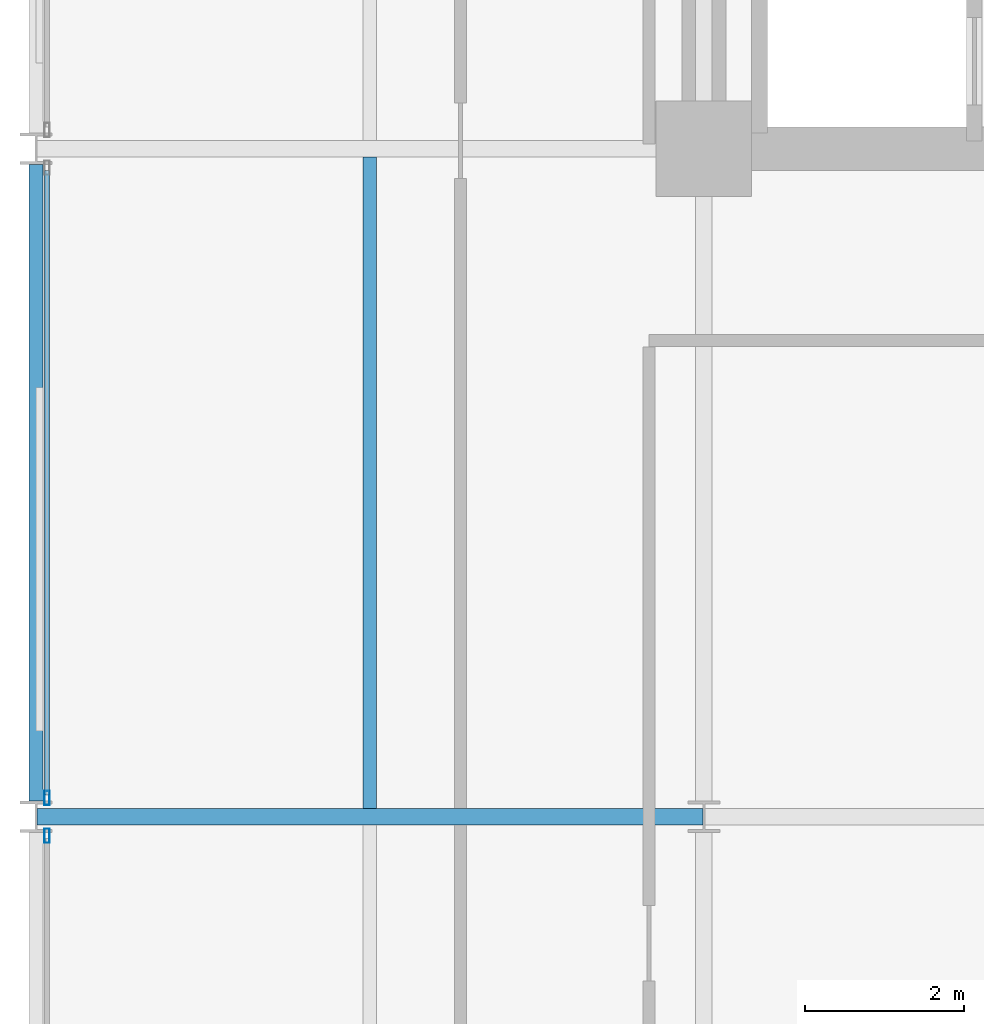
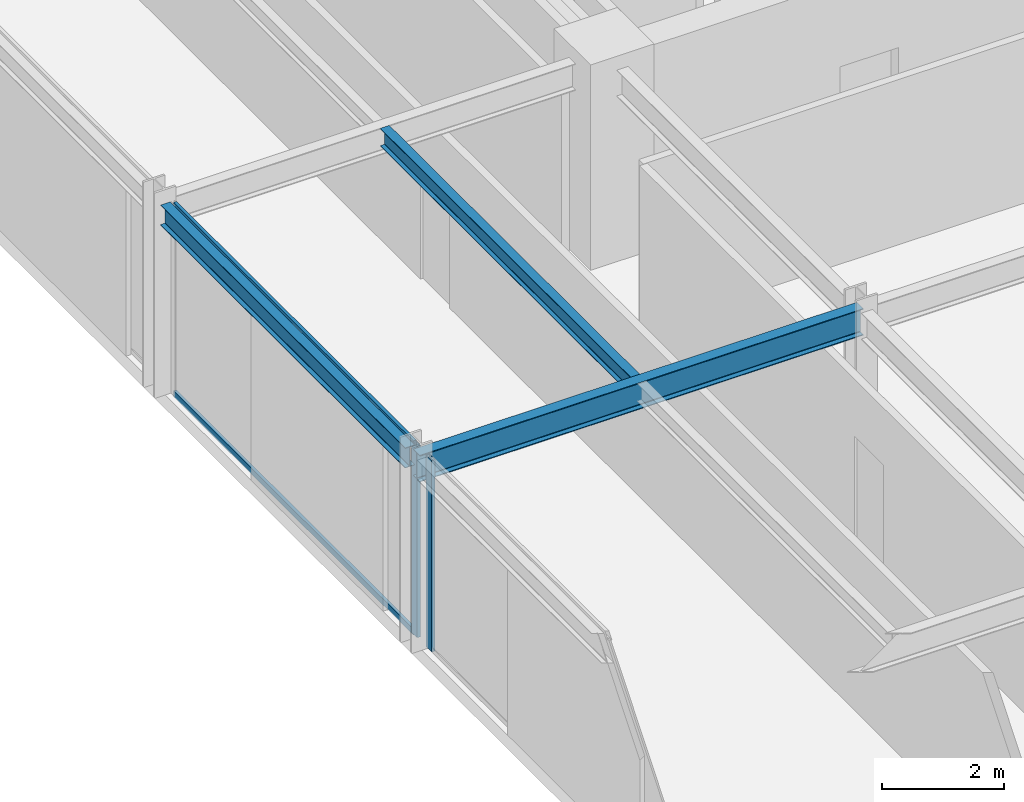
# One storey, part 11 of 38: 4 members, 3 beams, 2 elements without a shape of their own.
"""IFC4 building model written with IfcOpenShell, lengths in metres."""

from ifc_helpers import new_model, si_unit, direction, frame, origin, origin_2d, place, context, subcontext, project, spatial, hollow_rectangle, i_section, extrude, material, layer, layer_set, material_profile, profile_set, type_object, element, aggregate, save


model = new_model("IFC4")

# Units and contexts
model_context = context("Model", 3, precision=1e-05, world=origin(), true_north=direction((0.0, 1.0)))
body_context = subcontext(model_context, "Body", "Model", "MODEL_VIEW")
ifc_project = project(units=[si_unit("LENGTHUNIT", "METRE"), si_unit("AREAUNIT", "SQUARE_METRE"), si_unit("VOLUMEUNIT", "CUBIC_METRE"), si_unit("PLANEANGLEUNIT", "RADIAN"), si_unit("MASSUNIT", "GRAM", prefix="KILO")], contexts=[model_context])

# Site, building, storey
site_placement = place(None, origin())
site = spatial("IfcSite", under=ifc_project, at=site_placement, CompositionType="ELEMENT")
building_placement = place(site_placement, origin())
building = spatial("IfcBuilding", under=site, at=building_placement, Name="Nerrivon Quay Data Exchange", CompositionType="ELEMENT")
storey_placement = place(building_placement, frame((0.0, 0.0, 88.5)))
storey = spatial("IfcBuildingStorey", under=building, at=storey_placement, Name="L20", CompositionType="ELEMENT", Elevation=88.5)

# Beams
ifc_material_1 = material(Name="Steel Grade 350", Category="steel")
ifc_material_profile_1 = material_profile(ifc_material_1, i_section(OverallWidth=0.208984375, OverallDepth=0.532958984375, WebThickness=0.01025390625, FlangeThickness=0.015625, FilletRadius=0.013916015625, at=origin_2d()), Name="530UB92.4")
ifc_profile_set_1 = profile_set([ifc_material_profile_1], Name="Steel Grade 350")
beam_type_1 = type_object("IfcBeamType", Name="BM-G3-530UB92", PredefinedType="BEAM", material=ifc_profile_set_1)
beam_1_placement = place(storey_placement, frame((0.012451171875, 16.800048828125, 3.55859375), z_axis=(1.0, 0.0, 0.0), x_axis=(0.0, 1.0, 0.0)))
element("IfcBeam", 1, at=beam_1_placement, inside=storey, type_object=beam_type_1, Name="L20 EW Girder Y=16.8 (0.0..8.4)", PredefinedType="BEAM", context=body_context, shape_type="SweptSolid", body=[
    extrude(i_section(OverallWidth=0.208984375, OverallDepth=0.532958984375, WebThickness=0.01025390625, FlangeThickness=0.015625, FilletRadius=0.013916015625, at=origin_2d()), origin(), (0.0, 0.0, 1.0), 8.375),
])
ifc_material_profile_2 = material_profile(ifc_material_1, i_section(OverallWidth=0.1708984375, OverallDepth=0.35595703125, WebThickness=0.00732421875, FlangeThickness=0.011474609375, FilletRadius=0.011474609375, at=origin_2d()), Name="360UB50.7")
ifc_profile_set_2 = profile_set([ifc_material_profile_2], Name="Steel Grade 350")
beam_type_2 = type_object("IfcBeamType", Name="BM-J4-360UB51", PredefinedType="JOIST", material=ifc_profile_set_2)
beam_2_placement = place(storey_placement, frame((4.199951171875, 16.904541015625, 3.64697265625), z_axis=(0.0, 1.0, 0.0), x_axis=(-1.0, 0.0, 0.0)))
element("IfcBeam", 2, at=beam_2_placement, inside=storey, type_object=beam_type_2, Name="L20 Secondary Joist X=4.2 (16.8..25.2)", PredefinedType="JOIST", context=body_context, shape_type="SweptSolid", body=[
    extrude(i_section(OverallWidth=0.1708984375, OverallDepth=0.35595703125, WebThickness=0.00732421875, FlangeThickness=0.011474609375, FilletRadius=0.011474609375, at=origin_2d()), origin(), (0.0, 0.0, 1.0), 8.19091796875),
])
ifc_material_profile_3 = material_profile(ifc_material_1, i_section(OverallWidth=0.177978515625, OverallDepth=0.403076171875, WebThickness=0.007568359375, FlangeThickness=0.010986328125, FilletRadius=0.011474609375, at=origin_2d()), Name="410UB53.7")
ifc_profile_set_3 = profile_set([ifc_material_profile_3], Name="Steel Grade 350")
beam_type_3 = type_object("IfcBeamType", Name="BM-SP2-410UB54", PredefinedType="SPANDREL", material=ifc_profile_set_3)
beam_3_placement = place(storey_placement, frame((0.0, 17.0, 3.62353515625), z_axis=(0.0, 1.0, 0.0), x_axis=(-1.0, 0.0, 0.0)))
element("IfcBeam", 3, at=beam_3_placement, inside=storey, type_object=beam_type_3, Name="L20 NS Girder X=0.0 (16.8..25.2)", PredefinedType="SPANDREL", context=body_context, shape_type="SweptSolid", body=[
    extrude(i_section(OverallWidth=0.177978515625, OverallDepth=0.403076171875, WebThickness=0.007568359375, FlangeThickness=0.010986328125, FilletRadius=0.011474609375, at=origin_2d()), origin(), (0.0, 0.0, 1.0), 8.0),
])

# Curtain wall, member
ifc_material_2 = material(Name="Anodised aluminium 6063-T6", Category="aluminium")
ifc_layer = layer(ifc_material_2, 0.2099609375)
ifc_layer_set = layer_set([ifc_layer], Name="Anodised aluminium 6063-T6")
curtain_wall_type = type_object("IfcCurtainWallType", Name="CW-SYS-02", PredefinedType="NOTDEFINED", material=ifc_layer_set)
curtain_wall_1_placement = place(storey_placement, origin())
curtain_wall_1 = element("IfcCurtainWall", 4, at=curtain_wall_1_placement, inside=storey, type_object=curtain_wall_type, Name="L20 Unitised Curtain Wall 18", PredefinedType="NOTDEFINED")
ifc_material_profile_4 = material_profile(ifc_material_2, hollow_rectangle(XDim=0.06494140625, YDim=0.179931640625, WallThickness=0.00341796875, at=origin_2d()), Name="ALU-MULL-180x65")
ifc_profile_set_4 = profile_set([ifc_material_profile_4], Name="Anodised aluminium 6063-T6")
member_type_1 = type_object("IfcMemberType", Name="CWM-180x65", PredefinedType="MULLION", material=ifc_profile_set_4)
member_1_placement = place(storey_placement, frame((0.139892578125, 16.5625, 0.0), z_axis=(0.0, 0.0, 1.0), x_axis=(-1.0, 0.0, 0.0)))
member_1 = element("IfcMember", 5, at=member_1_placement, type_object=member_type_1, Name="CW02 mullion 2", PredefinedType="MULLION", context=body_context, shape_type="SweptSolid", body=[
    extrude(hollow_rectangle(XDim=0.06494140625, YDim=0.179931640625, WallThickness=0.00341796875, at=origin_2d()), origin(), (0.0, 0.0, 1.0), 3.824951171875),
])
aggregate(curtain_wall_1, [member_1])

# Curtain wall, members
curtain_wall_2_placement = place(storey_placement, origin())
curtain_wall_2 = element("IfcCurtainWall", 6, at=curtain_wall_2_placement, inside=storey, type_object=curtain_wall_type, Name="L20 Unitised Curtain Wall 19", PredefinedType="NOTDEFINED")
member_2_placement = place(storey_placement, frame((0.139892578125, 17.03759765625, 0.0), z_axis=(0.0, 0.0, 1.0), x_axis=(-1.0, 0.0, 0.0)))
member_2 = element("IfcMember", 7, at=member_2_placement, type_object=member_type_1, Name="CW02 mullion 1", PredefinedType="MULLION", context=body_context, shape_type="SweptSolid", body=[
    extrude(hollow_rectangle(XDim=0.06494140625, YDim=0.179931640625, WallThickness=0.00341796875, at=origin_2d()), origin(), (0.0, 0.0, 1.0), 3.824951171875),
])
ifc_material_profile_5 = material_profile(ifc_material_2, hollow_rectangle(XDim=0.06005859375, YDim=0.1201171875, WallThickness=0.003173828125, at=origin_2d()), Name="ALU-TRAN-120x60")
ifc_profile_set_5 = profile_set([ifc_material_profile_5], Name="Anodised aluminium 6063-T6")
member_type_2 = type_object("IfcMemberType", Name="CWT-120x60", PredefinedType="USERDEFINED", material=ifc_profile_set_5)
member_3_placement = place(storey_placement, frame((0.139892578125, 17.074951171875, 0.032470703125), z_axis=(0.0, 1.0, 0.0), x_axis=(-1.0, 0.0, 0.0)))
member_3 = element("IfcMember", 8, at=member_3_placement, type_object=member_type_2, Name="CW02 transom 1.1", ObjectType="TRANSOM", PredefinedType="USERDEFINED", context=body_context, shape_type="SweptSolid", body=[
    extrude(hollow_rectangle(XDim=0.06005859375, YDim=0.1201171875, WallThickness=0.003173828125, at=origin_2d()), origin(), (0.0, 0.0, 1.0), 7.85009765625),
])
member_4_placement = place(storey_placement, frame((0.139892578125, 17.074951171875, 3.79248046875), z_axis=(0.0, 1.0, 0.0), x_axis=(-1.0, 0.0, 0.0)))
member_4 = element("IfcMember", 9, at=member_4_placement, type_object=member_type_2, Name="CW02 transom 1.2", ObjectType="TRANSOM", PredefinedType="USERDEFINED", context=body_context, shape_type="SweptSolid", body=[
    extrude(hollow_rectangle(XDim=0.06005859375, YDim=0.1201171875, WallThickness=0.003173828125, at=origin_2d()), origin(), (0.0, 0.0, 1.0), 7.85009765625),
])
aggregate(curtain_wall_2, [member_2, member_3, member_4])

save(model, "model.ifc")
